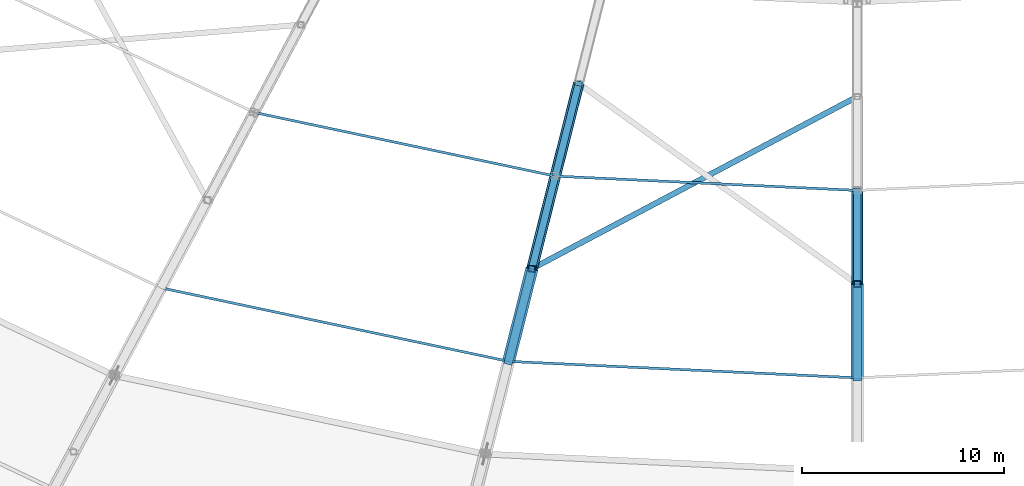
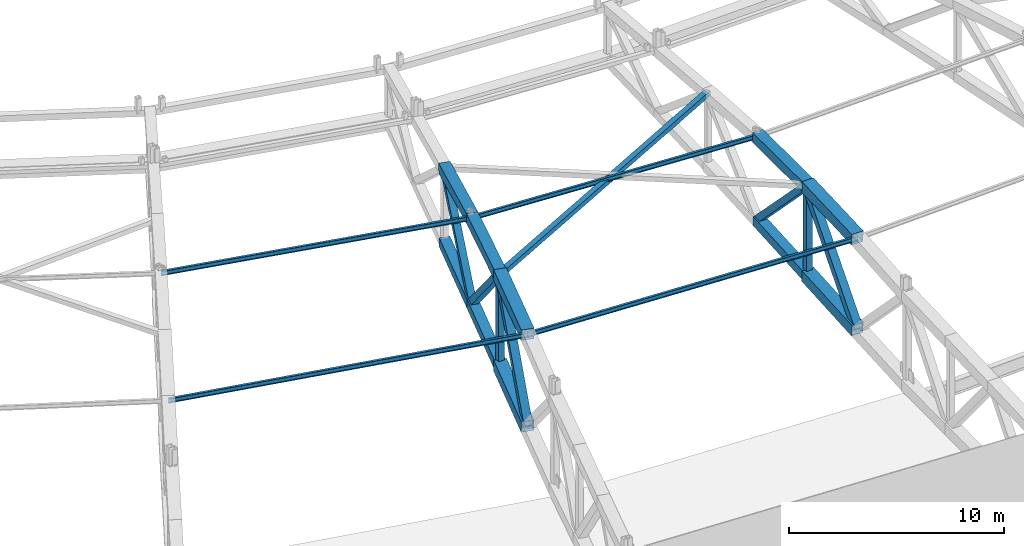
# One storey, part 27 of 162: 22 members.
"""IFC4 building model written with IfcOpenShell, lengths in metres."""

from ifc_helpers import new_model, si_unit, direction, frame, origin, origin_2d, place, context, subcontext, project, spatial, hollow_rectangle, i_section, extrude, material, material_profile, profile_set, type_object, element, save


model = new_model("IFC4")

# Units and contexts
model_context = context("Model", 3, precision=1e-05, world=origin(), true_north=direction((0.0, 1.0)))
body_context = subcontext(model_context, "Body", "Model", "MODEL_VIEW")
ifc_project = project(units=[si_unit("LENGTHUNIT", "METRE"), si_unit("AREAUNIT", "SQUARE_METRE"), si_unit("VOLUMEUNIT", "CUBIC_METRE"), si_unit("PLANEANGLEUNIT", "RADIAN"), si_unit("MASSUNIT", "GRAM", prefix="KILO")], contexts=[model_context])

# Site, building, storey
site_placement = place(None, origin())
site = spatial("IfcSite", under=ifc_project, at=site_placement, CompositionType="ELEMENT")
building_placement = place(site_placement, origin())
building = spatial("IfcBuilding", under=site, at=building_placement, Name="Kazemori Nagisa Stadium", CompositionType="ELEMENT")
storey_placement = place(building_placement, frame((0.0, 0.0, 36.719970703125)))
storey = spatial("IfcBuildingStorey", under=building, at=storey_placement, Name="RF", CompositionType="ELEMENT", Elevation=36.719970703125)

# Members
ifc_material_1 = material(Name="Steel STKR490", Category="steel")
ifc_material_profile_1 = material_profile(ifc_material_1, hollow_rectangle(XDim=0.280029296875, YDim=0.280029296875, WallThickness=0.010009765625, at=origin_2d()), Name="SHS-280x280x10")
ifc_profile_set_1 = profile_set([ifc_material_profile_1], Name="Steel STKR490")
member_type_1 = type_object("IfcMemberType", Name="Member_TB-SHS280", PredefinedType="BRACE", material=ifc_profile_set_1)
member_1_placement = place(storey_placement, frame((106.886474609375, 38.08984375, 6.251953125), z_axis=(0.883595470964, 0.467535410562, -0.025878244957), x_axis=(-0.467692039625, 0.88389148433, 0.0)))
element("IfcMember", 1, at=member_1_placement, inside=storey, type_object=member_type_1, Name="Roof space truss plan brace B21-1", PredefinedType="BRACE", context=body_context, shape_type="SweptSolid", body=[
    extrude(hollow_rectangle(XDim=0.280029296875, YDim=0.280029296875, WallThickness=0.010009765625, at=origin_2d()), origin(), (0.0, 0.0, 1.0), 18.236328125),
])
ifc_material_profile_2 = material_profile(ifc_material_1, hollow_rectangle(XDim=0.360107421875, YDim=0.360107421875, WallThickness=0.013916015625, at=origin_2d()), Name="SHS-360x360x14")
ifc_profile_set_2 = profile_set([ifc_material_profile_2], Name="Steel STKR490")
member_type_2 = type_object("IfcMemberType", Name="Member_TB-SHS360", PredefinedType="BRACE", material=ifc_profile_set_2)
member_2_placement = place(storey_placement, frame((106.886474609375, 38.08984375, 6.251953125), z_axis=(0.171182441945, 0.679022482313, -0.713880270132), x_axis=(-0.969661184378, 0.244452832895, 0.0)))
element("IfcMember", 2, at=member_2_placement, inside=storey, type_object=member_type_2, Name="Roof space truss diagonal RT-21-6", PredefinedType="BRACE", context=body_context, shape_type="SweptSolid", body=[
    extrude(hollow_rectangle(XDim=0.360107421875, YDim=0.360107421875, WallThickness=0.013916015625, at=origin_2d()), origin(), (0.0, 0.0, 1.0), 6.7587890625),
])
member_3_placement = place(storey_placement, frame((108.04345703125, 42.67919921875, 1.427001953125), z_axis=(0.177026399688, 0.702055329395, 0.689768053973), x_axis=(-0.96964895622, 0.244501332721, 0.0)))
element("IfcMember", 3, at=member_3_placement, inside=storey, type_object=member_type_2, Name="Roof space truss diagonal RT-21-7", PredefinedType="BRACE", context=body_context, shape_type="SweptSolid", body=[
    extrude(hollow_rectangle(XDim=0.360107421875, YDim=0.360107421875, WallThickness=0.013916015625, at=origin_2d()), origin(), (0.0, 0.0, 1.0), 6.537109375),
])
member_4_placement = place(storey_placement, frame((123.0, 37.327880859375, 6.130126953125), z_axis=(0.0, 0.697582004581, -0.71650495245), x_axis=(-1.0, 0.0, 0.0)))
element("IfcMember", 4, at=member_4_placement, inside=storey, type_object=member_type_2, Name="Roof space truss diagonal RT-22-6", PredefinedType="BRACE", context=body_context, shape_type="SweptSolid", body=[
    extrude(hollow_rectangle(XDim=0.360107421875, YDim=0.360107421875, WallThickness=0.013916015625, at=origin_2d()), origin(), (0.0, 0.0, 1.0), 6.6572265625),
])
ifc_material_profile_3 = material_profile(ifc_material_1, hollow_rectangle(XDim=0.419921875, YDim=0.419921875, WallThickness=0.01611328125, at=origin_2d()), Name="SHS-420x420x16")
ifc_profile_set_3 = profile_set([ifc_material_profile_3], Name="Steel STKR490")
member_type_3 = type_object("IfcMemberType", Name="Member_TB-SHS420", PredefinedType="BRACE", material=ifc_profile_set_3)
member_5_placement = place(storey_placement, frame((105.729248046875, 33.500732421875, 0.781982421875), z_axis=(0.159987403256, 0.634447936499, 0.756227377627), x_axis=(-0.969645872336, 0.24451356253, 0.0)))
element("IfcMember", 5, at=member_5_placement, inside=storey, type_object=member_type_3, Name="Roof space truss diagonal RT-21-5", PredefinedType="BRACE", context=body_context, shape_type="SweptSolid", body=[
    extrude(hollow_rectangle(XDim=0.419921875, YDim=0.419921875, WallThickness=0.01611328125, at=origin_2d()), origin(), (0.0, 0.0, 1.0), 7.233154296875),
])
member_6_placement = place(storey_placement, frame((123.0, 32.68408203125, 0.760009765625), z_axis=(0.0, 0.654101419495, 0.756406856801), x_axis=(-1.0, 0.0, 0.0)))
element("IfcMember", 6, at=member_6_placement, inside=storey, type_object=member_type_3, Name="Roof space truss diagonal RT-22-5", PredefinedType="BRACE", context=body_context, shape_type="SweptSolid", body=[
    extrude(hollow_rectangle(XDim=0.419921875, YDim=0.419921875, WallThickness=0.01611328125, at=origin_2d()), origin(), (0.0, 0.0, 1.0), 7.099609375),
])
ifc_material_profile_4 = material_profile(ifc_material_1, hollow_rectangle(XDim=0.52001953125, YDim=0.52001953125, WallThickness=0.01904296875, at=origin_2d()), Name="SHS-520x520x19")
ifc_profile_set_4 = profile_set([ifc_material_profile_4], Name="Steel STKR490")
member_type_4 = type_object("IfcMemberType", Name="Member_TC-SHS520", PredefinedType="CHORD", material=ifc_profile_set_4)
member_7_placement = place(storey_placement, frame((106.886474609375, 38.08984375, 1.10498046875), z_axis=(0.243888978769, 0.967424566976, 0.067881317366), x_axis=(-0.969661184378, 0.244452832895, 0.0)))
element("IfcMember", 7, at=member_7_placement, inside=storey, type_object=member_type_4, Name="Roof space truss bottom chord RT-21-6", PredefinedType="CHORD", context=body_context, shape_type="SweptSolid", body=[
    extrude(hollow_rectangle(XDim=0.52001953125, YDim=0.52001953125, WallThickness=0.01904296875, at=origin_2d()), origin(), (0.0, 0.0, 1.0), 4.743896484375),
])
member_8_placement = place(storey_placement, frame((108.04345703125, 42.67919921875, 1.427001953125), z_axis=(0.244005114466, 0.967681042561, 0.063678127974), x_axis=(-0.96964895622, 0.244501332721, 0.0)))
element("IfcMember", 8, at=member_8_placement, inside=storey, type_object=member_type_4, Name="Roof space truss bottom chord RT-21-7", PredefinedType="CHORD", context=body_context, shape_type="SweptSolid", body=[
    extrude(hollow_rectangle(XDim=0.52001953125, YDim=0.52001953125, WallThickness=0.01904296875, at=origin_2d()), origin(), (0.0, 0.0, 1.0), 4.74267578125),
])
member_9_placement = place(storey_placement, frame((123.0, 37.327880859375, 1.06005859375), z_axis=(0.0, 0.997919324616, 0.064474968455), x_axis=(-1.0, 0.0, 0.0)))
element("IfcMember", 9, at=member_9_placement, inside=storey, type_object=member_type_4, Name="Roof space truss bottom chord RT-22-6", PredefinedType="CHORD", context=body_context, shape_type="SweptSolid", body=[
    extrude(hollow_rectangle(XDim=0.52001953125, YDim=0.52001953125, WallThickness=0.01904296875, at=origin_2d()), origin(), (0.0, 0.0, 1.0), 4.65380859375),
])
ifc_material_profile_5 = material_profile(ifc_material_1, hollow_rectangle(XDim=0.56005859375, YDim=0.56005859375, WallThickness=0.02001953125, at=origin_2d()), Name="SHS-560x560x20")
ifc_profile_set_5 = profile_set([ifc_material_profile_5], Name="Steel STKR490")
member_type_5 = type_object("IfcMemberType", Name="Member_TC-SHS560", PredefinedType="CHORD", material=ifc_profile_set_5)
member_10_placement = place(storey_placement, frame((106.886474609375, 38.08984375, 6.251953125), z_axis=(0.244451738851, 0.969656844677, 0.002991812799), x_axis=(-0.969661184378, 0.244452832895, 0.0)))
element("IfcMember", 10, at=member_10_placement, inside=storey, type_object=member_type_5, Name="Roof space truss top chord RT-21-6", PredefinedType="CHORD", context=body_context, shape_type="SweptSolid", body=[
    extrude(hollow_rectangle(XDim=0.56005859375, YDim=0.56005859375, WallThickness=0.02001953125, at=origin_2d()), origin(), (0.0, 0.0, 1.0), 4.73291015625),
])
member_11_placement = place(storey_placement, frame((108.04345703125, 42.67919921875, 6.26611328125), z_axis=(0.243908912687, 0.967299523354, -0.06957064345), x_axis=(-0.96964895622, 0.244501332721, 0.0)))
element("IfcMember", 11, at=member_11_placement, inside=storey, type_object=member_type_5, Name="Roof space truss top chord RT-21-7", PredefinedType="CHORD", context=body_context, shape_type="SweptSolid", body=[
    extrude(hollow_rectangle(XDim=0.56005859375, YDim=0.56005859375, WallThickness=0.02001953125, at=origin_2d()), origin(), (0.0, 0.0, 1.0), 4.744384765625),
])
member_12_placement = place(storey_placement, frame((123.0, 37.327880859375, 6.130126953125), z_axis=(0.0, 0.999985340386, -0.005414703504), x_axis=(-1.0, 0.0, 0.0)))
element("IfcMember", 12, at=member_12_placement, inside=storey, type_object=member_type_5, Name="Roof space truss top chord RT-22-6", PredefinedType="CHORD", context=body_context, shape_type="SweptSolid", body=[
    extrude(hollow_rectangle(XDim=0.56005859375, YDim=0.56005859375, WallThickness=0.02001953125, at=origin_2d()), origin(), (0.0, 0.0, 1.0), 4.64404296875),
])
ifc_material_profile_6 = material_profile(ifc_material_1, hollow_rectangle(XDim=0.6201171875, YDim=0.6201171875, WallThickness=0.02197265625, at=origin_2d()), Name="SHS-620x620x22")
ifc_profile_set_6 = profile_set([ifc_material_profile_6], Name="Steel STKR490")
member_type_6 = type_object("IfcMemberType", Name="Member_TC-SHS620", PredefinedType="CHORD", material=ifc_profile_set_6)
member_13_placement = place(storey_placement, frame((105.729248046875, 33.500732421875, 5.9970703125), z_axis=(0.244159744689, 0.968242768127, 0.053776956425), x_axis=(-0.969645872336, 0.24451356253, 0.0)))
element("IfcMember", 13, at=member_13_placement, inside=storey, type_object=member_type_6, Name="Roof space truss top chord RT-21-5", PredefinedType="CHORD", context=body_context, shape_type="SweptSolid", body=[
    extrude(hollow_rectangle(XDim=0.6201171875, YDim=0.6201171875, WallThickness=0.02197265625, at=origin_2d()), origin(), (0.0, 0.0, 1.0), 4.73974609375),
])
member_14_placement = place(storey_placement, frame((105.729248046875, 33.500732421875, 0.781982421875), z_axis=(0.243946112011, 0.967395583855, 0.06808875658), x_axis=(-0.969645872336, 0.24451356253, 0.0)))
element("IfcMember", 14, at=member_14_placement, inside=storey, type_object=member_type_6, Name="Roof space truss bottom chord RT-21-5", PredefinedType="CHORD", context=body_context, shape_type="SweptSolid", body=[
    extrude(hollow_rectangle(XDim=0.6201171875, YDim=0.6201171875, WallThickness=0.02197265625, at=origin_2d()), origin(), (0.0, 0.0, 1.0), 4.743896484375),
])
member_15_placement = place(storey_placement, frame((123.0, 32.68408203125, 5.929931640625), z_axis=(0.0, 0.999072046567, 0.043070242268), x_axis=(-1.0, 0.0, 0.0)))
element("IfcMember", 15, at=member_15_placement, inside=storey, type_object=member_type_6, Name="Roof space truss top chord RT-22-5", PredefinedType="CHORD", context=body_context, shape_type="SweptSolid", body=[
    extrude(hollow_rectangle(XDim=0.6201171875, YDim=0.6201171875, WallThickness=0.02197265625, at=origin_2d()), origin(), (0.0, 0.0, 1.0), 4.648193359375),
])
member_16_placement = place(storey_placement, frame((123.0, 32.68408203125, 0.760009765625), z_axis=(0.0, 0.997919106516, 0.064478344036), x_axis=(-1.0, 0.0, 0.0)))
element("IfcMember", 16, at=member_16_placement, inside=storey, type_object=member_type_6, Name="Roof space truss bottom chord RT-22-5", PredefinedType="CHORD", context=body_context, shape_type="SweptSolid", body=[
    extrude(hollow_rectangle(XDim=0.6201171875, YDim=0.6201171875, WallThickness=0.02197265625, at=origin_2d()), origin(), (0.0, 0.0, 1.0), 4.653564453125),
])
ifc_material_2 = material(Name="Steel SN490B", Category="steel")
ifc_material_profile_7 = material_profile(ifc_material_2, i_section(OverallWidth=0.125, OverallDepth=0.25, WebThickness=0.006103515625, FlangeThickness=0.009033203125, FilletRadius=0.008056640625, at=origin_2d()), Name="H-250x125x6x9")
ifc_profile_set_7 = profile_set([ifc_material_profile_7], Name="Steel SN490B")
member_type_7 = type_object("IfcMemberType", Name="Member_TP-H250", PredefinedType="PURLIN", material=ifc_profile_set_7)
member_17_placement = place(storey_placement, frame((88.49951171875, 37.145751953125, 6.06005859375), z_axis=(0.978340368603, -0.206971812212, -0.003576605998), x_axis=(0.206973136028, 0.978346626183, 0.0)))
element("IfcMember", 17, at=member_17_placement, inside=storey, type_object=member_type_7, Name="Roof purlin TP-H250 B20-P4", PredefinedType="PURLIN", context=body_context, shape_type="SweptSolid", body=[
    extrude(i_section(OverallWidth=0.125, OverallDepth=0.25, WebThickness=0.006103515625, FlangeThickness=0.009033203125, FilletRadius=0.008056640625, at=origin_2d()), origin(), (0.0, 0.0, 1.0), 17.611083984375),
])
member_18_placement = place(storey_placement, frame((93.122314453125, 45.8359375, 6.419921875), z_axis=(0.978295405337, -0.206969576239, -0.010084364504), x_axis=(0.206980100866, 0.978345152717, 0.0)))
element("IfcMember", 18, at=member_18_placement, inside=storey, type_object=member_type_7, Name="Roof purlin TP-H250 B20-P6", PredefinedType="PURLIN", context=body_context, shape_type="SweptSolid", body=[
    extrude(i_section(OverallWidth=0.125, OverallDepth=0.25, WebThickness=0.006103515625, FlangeThickness=0.009033203125, FilletRadius=0.008056640625, at=origin_2d()), origin(), (0.0, 0.0, 1.0), 15.252197265625),
])
member_19_placement = place(storey_placement, frame((105.729248046875, 33.500732421875, 5.9970703125), z_axis=(0.998876397038, -0.047232037264, -0.003883052391), x_axis=(0.047232393353, 0.9988839277, 0.0)))
element("IfcMember", 19, at=member_19_placement, inside=storey, type_object=member_type_7, Name="Roof purlin TP-H250 B21-P4", PredefinedType="PURLIN", context=body_context, shape_type="SweptSolid", body=[
    extrude(i_section(OverallWidth=0.125, OverallDepth=0.25, WebThickness=0.006103515625, FlangeThickness=0.009033203125, FilletRadius=0.008056640625, at=origin_2d()), origin(), (0.0, 0.0, 1.0), 17.290283203125),
])
member_20_placement = place(storey_placement, frame((108.04345703125, 42.67919921875, 6.26611328125), z_axis=(0.998825927531, -0.047233174106, -0.010760750745), x_axis=(0.047235908996, 0.998883761456, 0.0)))
element("IfcMember", 20, at=member_20_placement, inside=storey, type_object=member_type_7, Name="Roof purlin TP-H250 B21-P6", PredefinedType="PURLIN", context=body_context, shape_type="SweptSolid", body=[
    extrude(i_section(OverallWidth=0.125, OverallDepth=0.25, WebThickness=0.006103515625, FlangeThickness=0.009033203125, FilletRadius=0.008056640625, at=origin_2d()), origin(), (0.0, 0.0, 1.0), 14.97412109375),
])
ifc_material_profile_8 = material_profile(ifc_material_1, hollow_rectangle(XDim=0.320068359375, YDim=0.320068359375, WallThickness=0.011962890625, at=origin_2d()), Name="SHS-320x320x12")
ifc_profile_set_8 = profile_set([ifc_material_profile_8], Name="Steel STKR490")
member_type_8 = type_object("IfcMemberType", Name="Member_TS-SHS320", PredefinedType="STRUT", material=ifc_profile_set_8)
member_21_placement = place(storey_placement, frame((106.886474609375, 38.08984375, 1.10498046875), z_axis=(0.0, 0.0, 1.0), x_axis=(1.0, 0.0, 0.0)))
element("IfcMember", 21, at=member_21_placement, inside=storey, type_object=member_type_8, Name="Roof space truss strut RT-21-6", PredefinedType="STRUT", context=body_context, shape_type="SweptSolid", body=[
    extrude(hollow_rectangle(XDim=0.320068359375, YDim=0.320068359375, WallThickness=0.011962890625, at=origin_2d()), origin(), (0.0, 0.0, 1.0), 5.14697265625),
])
member_22_placement = place(storey_placement, frame((123.0, 37.327880859375, 1.06005859375), z_axis=(0.0, 0.0, 1.0), x_axis=(1.0, 0.0, 0.0)))
element("IfcMember", 22, at=member_22_placement, inside=storey, type_object=member_type_8, Name="Roof space truss strut RT-22-6", PredefinedType="STRUT", context=body_context, shape_type="SweptSolid", body=[
    extrude(hollow_rectangle(XDim=0.320068359375, YDim=0.320068359375, WallThickness=0.011962890625, at=origin_2d()), origin(), (0.0, 0.0, 1.0), 5.070068359375),
])

save(model, "model.ifc")
